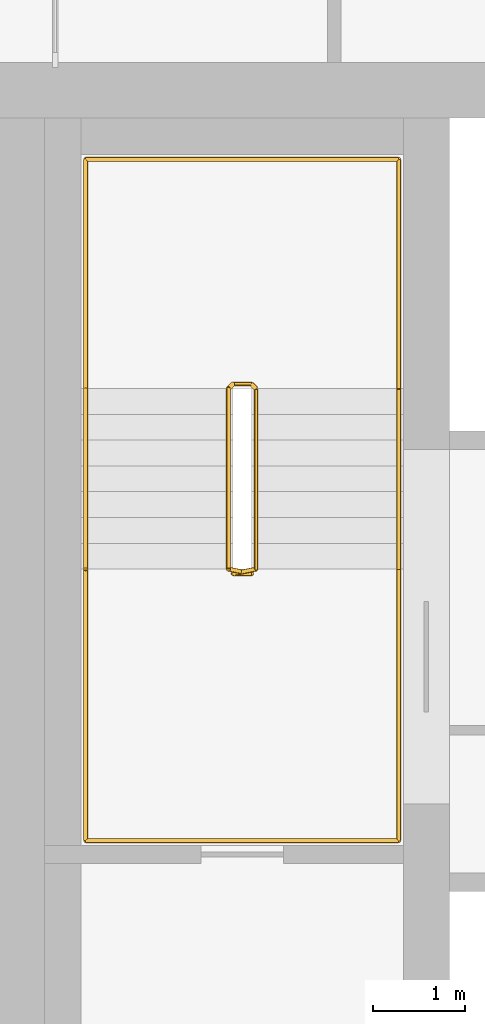
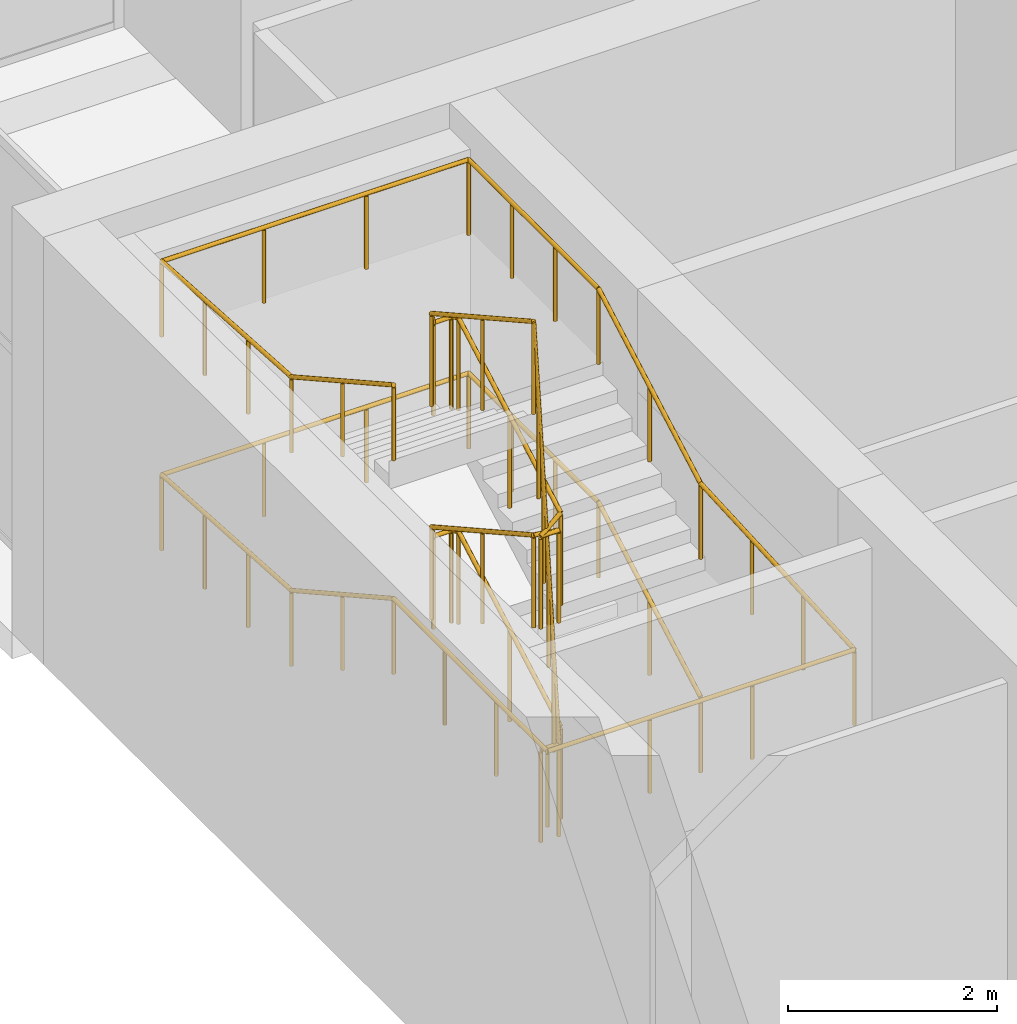
# One storey, part 15 of 15: 2 railings.
"""IFC4 building model written with IfcOpenShell, lengths in metres."""

from ifc_helpers import new_model, si_unit, direction, frame, origin, origin_2d, place, context, subcontext, project, spatial, circle, extrude, material, type_object, element, save


model = new_model("IFC4")

# Units and contexts
model_context = context("Model", 3, precision=1e-05, world=origin(), true_north=direction((0.0, 1.0)))
body_context = subcontext(model_context, "Body", "Model", "MODEL_VIEW")
ifc_project = project(units=[si_unit("LENGTHUNIT", "METRE"), si_unit("AREAUNIT", "SQUARE_METRE"), si_unit("VOLUMEUNIT", "CUBIC_METRE"), si_unit("PLANEANGLEUNIT", "RADIAN"), si_unit("MASSUNIT", "GRAM", prefix="KILO")], contexts=[model_context])

# Site, building, storey
site_placement = place(None, origin())
site = spatial("IfcSite", under=ifc_project, at=site_placement, CompositionType="ELEMENT")
building_placement = place(site_placement, origin())
building = spatial("IfcBuilding", under=site, at=building_placement, Name="Tamorin Gate", CompositionType="ELEMENT")
storey_placement = place(building_placement, frame((0.0, 0.0, 297.699951171875)))
storey = spatial("IfcBuildingStorey", under=building, at=storey_placement, Name="L74", CompositionType="ELEMENT", Elevation=297.699951171875)

# Railings
ifc_material_1 = material(Name="Painted steel balustrade", Category="steel")
railing_type_1 = type_object("IfcRailingType", Name="Stair guard 1100", PredefinedType="GUARDRAIL", material=ifc_material_1)
railing_1_placement = place(storey_placement, frame((32.89990234375, 77.0, 0.15625)))
element("IfcRailing", 1, at=railing_1_placement, inside=storey, type_object=railing_type_1, Name="L74 ST2 stair guard 1", PredefinedType="GUARDRAIL", context=body_context, shape_type="SweptSolid", body=[
    extrude(circle(Radius=0.02392578125, at=origin_2d()), frame((0.0, 0.0, 1.076171875), z_axis=(0.0, 0.873232148454, 0.487304437602), x_axis=(-1.0, 0.0, 0.0)), (0.0, 0.0, 1.0), 2.244384765625),
    extrude(circle(Radius=0.02392578125, at=origin_2d()), frame((0.0, 1.9599609375, 2.169921875), z_axis=(-0.705375805398, 0.708833529934, 0.0), x_axis=(-0.708833529934, -0.705375805398, 0.0)), (0.0, 0.0, 1.0), 0.070556640625),
    extrude(circle(Radius=0.02392578125, at=origin_2d()), frame((-0.0498046875, 2.010009765625, 2.169921875), z_axis=(-1.0, 0.0, 0.0), x_axis=(0.0, -1.0, 0.0)), (0.0, 0.0, 1.0), 0.2001953125),
    extrude(circle(Radius=0.02392578125, at=origin_2d()), frame((-0.25, 2.010009765625, 2.169921875), z_axis=(-0.290469530425, -0.291893400672, 0.911276958196), x_axis=(0.708833529934, -0.705375805398, 0.0)), (0.0, 0.0, 1.0), 0.17138671875),
    extrude(circle(Radius=0.02392578125, at=origin_2d()), frame((-0.2998046875, 1.9599609375, 2.326171875), z_axis=(0.0, -0.873232148454, 0.487304437602), x_axis=(1.0, 0.0, 0.0)), (0.0, 0.0, 1.0), 2.244384765625),
    extrude(circle(Radius=0.02392578125, at=origin_2d()), frame((-0.2998046875, 0.0, 3.419921875), z_axis=(0.98054382908, -0.196300278283, 0.0), x_axis=(0.196300278283, 0.98054382908, 0.0)), (0.0, 0.0, 1.0), 0.2548828125),
    extrude(circle(Radius=0.02392578125, at=origin_2d()), frame((-0.0498046875, -0.050048828125, 3.419921875), z_axis=(-1.0, 0.0, 0.0), x_axis=(0.0, -1.0, 0.0)), (0.0, 0.0, 1.0), 0.2001953125),
    extrude(circle(Radius=0.02392578125, at=origin_2d()), frame((-0.25, -0.050048828125, 3.419921875), z_axis=(0.836036486302, 0.167370585637, 0.522522803939), x_axis=(-0.196300278283, 0.98054382908, 0.0)), (0.0, 0.0, 1.0), 0.299072265625),
    extrude(circle(Radius=0.02392578125, at=origin_2d()), frame((0.0, 0.0, 3.576171875), z_axis=(0.0, 0.873232148454, 0.487304437602), x_axis=(-1.0, 0.0, 0.0)), (0.0, 0.0, 1.0), 2.244384765625),
    extrude(circle(Radius=0.02392578125, at=origin_2d()), frame((0.0, 1.9599609375, 4.669921875), z_axis=(-0.705375805398, 0.708833529934, 0.0), x_axis=(-0.708833529934, -0.705375805398, 0.0)), (0.0, 0.0, 1.0), 0.070556640625),
    extrude(circle(Radius=0.02392578125, at=origin_2d()), frame((-0.0498046875, 2.010009765625, 4.669921875), z_axis=(-1.0, 0.0, 0.0), x_axis=(0.0, -1.0, 0.0)), (0.0, 0.0, 1.0), 0.2001953125),
    extrude(circle(Radius=0.02392578125, at=origin_2d()), frame((-0.25, 2.010009765625, 4.669921875), z_axis=(-0.290469530425, -0.291893400672, 0.911276958196), x_axis=(0.708833529934, -0.705375805398, 0.0)), (0.0, 0.0, 1.0), 0.17138671875),
    extrude(circle(Radius=0.02392578125, at=origin_2d()), frame((-0.2998046875, 1.9599609375, 4.826171875), z_axis=(0.0, -0.873232148454, 0.487304437602), x_axis=(1.0, 0.0, 0.0)), (0.0, 0.0, 1.0), 2.244384765625),
    extrude(circle(Radius=0.02392578125, at=origin_2d()), frame((-0.2998046875, 0.0, 5.919921875), z_axis=(0.04993512161, -0.009996777275, -0.998702432196), x_axis=(0.196300278283, 0.98054382908, 0.0)), (0.0, 0.0, 1.0), 5.006591796875),
    extrude(circle(Radius=0.02392578125, at=origin_2d()), frame((-0.0498046875, -0.050048828125, 0.919921875), z_axis=(-1.0, 0.0, 0.0), x_axis=(0.0, -1.0, 0.0)), (0.0, 0.0, 1.0), 0.2001953125),
    extrude(circle(Radius=0.02099609375, at=origin_2d()), origin(), (0.0, 0.0, 1.0), 1.052001953125),
    extrude(circle(Radius=0.02099609375, at=origin_2d()), frame((0.0, 0.97998046875, 0.546875)), (0.0, 0.0, 1.0), 1.052001953125),
    extrude(circle(Radius=0.02099609375, at=origin_2d()), frame((0.0, 1.9599609375, 1.09375)), (0.0, 0.0, 1.0), 1.052001953125),
    extrude(circle(Radius=0.02099609375, at=origin_2d()), frame((-0.0498046875, 2.010009765625, 1.09375)), (0.0, 0.0, 1.0), 1.052001953125),
    extrude(circle(Radius=0.02099609375, at=origin_2d()), frame((-0.25, 2.010009765625, 1.09375)), (0.0, 0.0, 1.0), 1.052001953125),
    extrude(circle(Radius=0.02099609375, at=origin_2d()), frame((-0.2998046875, 1.9599609375, 1.25)), (0.0, 0.0, 1.0), 1.052001953125),
    extrude(circle(Radius=0.02099609375, at=origin_2d()), frame((-0.2998046875, 0.97998046875, 1.796875)), (0.0, 0.0, 1.0), 1.052001953125),
    extrude(circle(Radius=0.02099609375, at=origin_2d()), frame((-0.2998046875, 0.0, 2.34375)), (0.0, 0.0, 1.0), 1.052001953125),
    extrude(circle(Radius=0.02099609375, at=origin_2d()), frame((-0.0498046875, -0.050048828125, 2.34375)), (0.0, 0.0, 1.0), 1.052001953125),
    extrude(circle(Radius=0.02099609375, at=origin_2d()), frame((-0.25, -0.050048828125, 2.34375)), (0.0, 0.0, 1.0), 1.052001953125),
    extrude(circle(Radius=0.02099609375, at=origin_2d()), frame((0.0, 0.0, 2.5)), (0.0, 0.0, 1.0), 1.052001953125),
    extrude(circle(Radius=0.02099609375, at=origin_2d()), frame((0.0, 0.97998046875, 3.046875)), (0.0, 0.0, 1.0), 1.052001953125),
    extrude(circle(Radius=0.02099609375, at=origin_2d()), frame((0.0, 1.9599609375, 3.59375)), (0.0, 0.0, 1.0), 1.052001953125),
    extrude(circle(Radius=0.02099609375, at=origin_2d()), frame((-0.0498046875, 2.010009765625, 3.59375)), (0.0, 0.0, 1.0), 1.052001953125),
    extrude(circle(Radius=0.02099609375, at=origin_2d()), frame((-0.25, 2.010009765625, 3.59375)), (0.0, 0.0, 1.0), 1.052001953125),
    extrude(circle(Radius=0.02099609375, at=origin_2d()), frame((-0.2998046875, 1.9599609375, 3.75)), (0.0, 0.0, 1.0), 1.052001953125),
    extrude(circle(Radius=0.02099609375, at=origin_2d()), frame((-0.2998046875, 0.97998046875, 4.296875)), (0.0, 0.0, 1.0), 1.052001953125),
    extrude(circle(Radius=0.02099609375, at=origin_2d()), frame((-0.2998046875, 0.0, 4.84375)), (0.0, 0.0, 1.0), 1.052001953125),
    extrude(circle(Radius=0.02099609375, at=origin_2d()), frame((-0.249755859375, -0.010009765625, 3.84375)), (0.0, 0.0, 1.0), 1.052001953125),
    extrude(circle(Radius=0.02099609375, at=origin_2d()), frame((-0.19970703125, -0.02001953125, 2.84375)), (0.0, 0.0, 1.0), 1.052001953125),
    extrude(circle(Radius=0.02099609375, at=origin_2d()), frame((-0.14990234375, -0.030029296875, 1.84375)), (0.0, 0.0, 1.0), 1.052001953125),
    extrude(circle(Radius=0.02099609375, at=origin_2d()), frame((-0.099853515625, -0.0400390625, 0.84375)), (0.0, 0.0, 1.0), 1.052001953125),
    extrude(circle(Radius=0.02099609375, at=origin_2d()), frame((-0.0498046875, -0.050048828125, -0.15625)), (0.0, 0.0, 1.0), 1.052001953125),
    extrude(circle(Radius=0.02099609375, at=origin_2d()), frame((-0.25, -0.050048828125, -0.15625)), (0.0, 0.0, 1.0), 1.052001953125),
])
ifc_material_2 = material(Name="Painted steel handrail", Category="steel")
railing_type_2 = type_object("IfcRailingType", Name="Stair handrail 900", PredefinedType="HANDRAIL", material=ifc_material_2)
railing_2_placement = place(storey_placement, frame((34.449951171875, 77.0, 0.15625)))
element("IfcRailing", 2, at=railing_2_placement, inside=storey, type_object=railing_type_2, Name="L74 ST2 stair handrail 1", PredefinedType="HANDRAIL", context=body_context, shape_type="SweptSolid", body=[
    extrude(circle(Radius=0.02392578125, at=origin_2d()), frame((0.0, 0.0, 0.8759765625), z_axis=(0.0, 0.873232148454, 0.487304437602), x_axis=(-1.0, 0.0, 0.0)), (0.0, 0.0, 1.0), 2.244384765625),
    extrude(circle(Radius=0.02392578125, at=origin_2d()), frame((0.0, 1.9599609375, 1.9697265625), z_axis=(0.0, 1.0, 0.0), x_axis=(-1.0, 0.0, 0.0)), (0.0, 0.0, 1.0), 2.489990234375),
    extrude(circle(Radius=0.02392578125, at=origin_2d()), frame((0.0, 4.449951171875, 1.9697265625), z_axis=(-1.0, 0.0, 0.0), x_axis=(0.0, -1.0, 0.0)), (0.0, 0.0, 1.0), 3.39990234375),
    extrude(circle(Radius=0.02392578125, at=origin_2d()), frame((-3.39990234375, 4.449951171875, 1.9697265625), z_axis=(0.0, -0.998036935902, 0.062628065396), x_axis=(1.0, 0.0, 0.0)), (0.0, 0.0, 1.0), 2.494873046875),
    extrude(circle(Radius=0.02392578125, at=origin_2d()), frame((-3.39990234375, 1.9599609375, 2.1259765625), z_axis=(0.0, -0.873232148454, 0.487304437602), x_axis=(1.0, 0.0, 0.0)), (0.0, 0.0, 1.0), 2.244384765625),
    extrude(circle(Radius=0.02392578125, at=origin_2d()), frame((-3.39990234375, 0.0, 3.2197265625), z_axis=(0.0, -1.0, 0.0), x_axis=(1.0, 0.0, 0.0)), (0.0, 0.0, 1.0), 2.949951171875),
    extrude(circle(Radius=0.02392578125, at=origin_2d()), frame((-3.39990234375, -2.949951171875, 3.2197265625), z_axis=(1.0, 0.0, 0.0), x_axis=(0.0, 1.0, 0.0)), (0.0, 0.0, 1.0), 3.39990234375),
    extrude(circle(Radius=0.02392578125, at=origin_2d()), frame((0.0, -2.949951171875, 3.2197265625), z_axis=(0.0, 0.998600194279, 0.05289283492), x_axis=(-1.0, 0.0, 0.0)), (0.0, 0.0, 1.0), 2.9541015625),
    extrude(circle(Radius=0.02392578125, at=origin_2d()), frame((0.0, 0.0, 3.3759765625), z_axis=(0.0, 0.873232148454, 0.487304437602), x_axis=(-1.0, 0.0, 0.0)), (0.0, 0.0, 1.0), 2.244384765625),
    extrude(circle(Radius=0.02392578125, at=origin_2d()), frame((0.0, 1.9599609375, 4.4697265625), z_axis=(0.0, 1.0, 0.0), x_axis=(-1.0, 0.0, 0.0)), (0.0, 0.0, 1.0), 2.489990234375),
    extrude(circle(Radius=0.02392578125, at=origin_2d()), frame((0.0, 4.449951171875, 4.4697265625), z_axis=(-1.0, 0.0, 0.0), x_axis=(0.0, -1.0, 0.0)), (0.0, 0.0, 1.0), 3.39990234375),
    extrude(circle(Radius=0.02392578125, at=origin_2d()), frame((-3.39990234375, 4.449951171875, 4.4697265625), z_axis=(0.0, -0.998036935902, 0.062628065396), x_axis=(1.0, 0.0, 0.0)), (0.0, 0.0, 1.0), 2.494873046875),
    extrude(circle(Radius=0.02392578125, at=origin_2d()), frame((-3.39990234375, 1.9599609375, 4.6259765625), z_axis=(0.0, -0.873232148454, 0.487304437602), x_axis=(1.0, 0.0, 0.0)), (0.0, 0.0, 1.0), 2.244384765625),
    extrude(circle(Radius=0.02099609375, at=origin_2d()), origin(), (0.0, 0.0, 1.0), 0.851806640625),
    extrude(circle(Radius=0.02099609375, at=origin_2d()), frame((0.0, 0.97998046875, 0.546875)), (0.0, 0.0, 1.0), 0.851806640625),
    extrude(circle(Radius=0.02099609375, at=origin_2d()), frame((0.0, 1.9599609375, 1.09375)), (0.0, 0.0, 1.0), 0.851806640625),
    extrude(circle(Radius=0.02099609375, at=origin_2d()), frame((0.0, 2.7900390625, 1.09375)), (0.0, 0.0, 1.0), 0.851806640625),
    extrude(circle(Radius=0.02099609375, at=origin_2d()), frame((0.0, 3.619873046875, 1.09375)), (0.0, 0.0, 1.0), 0.851806640625),
    extrude(circle(Radius=0.02099609375, at=origin_2d()), frame((0.0, 4.449951171875, 1.09375)), (0.0, 0.0, 1.0), 0.851806640625),
    extrude(circle(Radius=0.02099609375, at=origin_2d()), frame((-1.13330078125, 4.449951171875, 1.09375)), (0.0, 0.0, 1.0), 0.851806640625),
    extrude(circle(Radius=0.02099609375, at=origin_2d()), frame((-2.2666015625, 4.449951171875, 1.09375)), (0.0, 0.0, 1.0), 0.851806640625),
    extrude(circle(Radius=0.02099609375, at=origin_2d()), frame((-3.39990234375, 4.449951171875, 1.09375)), (0.0, 0.0, 1.0), 0.851806640625),
    extrude(circle(Radius=0.02099609375, at=origin_2d()), frame((-3.39990234375, 3.619873046875, 1.145751953125)), (0.0, 0.0, 1.0), 0.851806640625),
    extrude(circle(Radius=0.02099609375, at=origin_2d()), frame((-3.39990234375, 2.7900390625, 1.197998046875)), (0.0, 0.0, 1.0), 0.851806640625),
    extrude(circle(Radius=0.02099609375, at=origin_2d()), frame((-3.39990234375, 1.9599609375, 1.25)), (0.0, 0.0, 1.0), 0.851806640625),
    extrude(circle(Radius=0.02099609375, at=origin_2d()), frame((-3.39990234375, 0.97998046875, 1.796875)), (0.0, 0.0, 1.0), 0.851806640625),
    extrude(circle(Radius=0.02099609375, at=origin_2d()), frame((-3.39990234375, 0.0, 2.34375)), (0.0, 0.0, 1.0), 0.851806640625),
    extrude(circle(Radius=0.02099609375, at=origin_2d()), frame((-3.39990234375, -0.9833984375, 2.34375)), (0.0, 0.0, 1.0), 0.851806640625),
    extrude(circle(Radius=0.02099609375, at=origin_2d()), frame((-3.39990234375, -1.966552734375, 2.34375)), (0.0, 0.0, 1.0), 0.851806640625),
    extrude(circle(Radius=0.02099609375, at=origin_2d()), frame((-3.39990234375, -2.949951171875, 2.34375)), (0.0, 0.0, 1.0), 0.851806640625),
    extrude(circle(Radius=0.02099609375, at=origin_2d()), frame((-2.2666015625, -2.949951171875, 2.34375)), (0.0, 0.0, 1.0), 0.851806640625),
    extrude(circle(Radius=0.02099609375, at=origin_2d()), frame((-1.13330078125, -2.949951171875, 2.34375)), (0.0, 0.0, 1.0), 0.851806640625),
    extrude(circle(Radius=0.02099609375, at=origin_2d()), frame((0.0, -2.949951171875, 2.34375)), (0.0, 0.0, 1.0), 0.851806640625),
    extrude(circle(Radius=0.02099609375, at=origin_2d()), frame((0.0, -1.966552734375, 2.395751953125)), (0.0, 0.0, 1.0), 0.851806640625),
    extrude(circle(Radius=0.02099609375, at=origin_2d()), frame((0.0, -0.9833984375, 2.447998046875)), (0.0, 0.0, 1.0), 0.851806640625),
    extrude(circle(Radius=0.02099609375, at=origin_2d()), frame((0.0, 0.0, 2.5)), (0.0, 0.0, 1.0), 0.851806640625),
    extrude(circle(Radius=0.02099609375, at=origin_2d()), frame((0.0, 0.97998046875, 3.046875)), (0.0, 0.0, 1.0), 0.851806640625),
    extrude(circle(Radius=0.02099609375, at=origin_2d()), frame((0.0, 1.9599609375, 3.59375)), (0.0, 0.0, 1.0), 0.851806640625),
    extrude(circle(Radius=0.02099609375, at=origin_2d()), frame((0.0, 2.7900390625, 3.59375)), (0.0, 0.0, 1.0), 0.851806640625),
    extrude(circle(Radius=0.02099609375, at=origin_2d()), frame((0.0, 3.619873046875, 3.59375)), (0.0, 0.0, 1.0), 0.851806640625),
    extrude(circle(Radius=0.02099609375, at=origin_2d()), frame((0.0, 4.449951171875, 3.59375)), (0.0, 0.0, 1.0), 0.851806640625),
    extrude(circle(Radius=0.02099609375, at=origin_2d()), frame((-1.13330078125, 4.449951171875, 3.59375)), (0.0, 0.0, 1.0), 0.851806640625),
    extrude(circle(Radius=0.02099609375, at=origin_2d()), frame((-2.2666015625, 4.449951171875, 3.59375)), (0.0, 0.0, 1.0), 0.851806640625),
    extrude(circle(Radius=0.02099609375, at=origin_2d()), frame((-3.39990234375, 4.449951171875, 3.59375)), (0.0, 0.0, 1.0), 0.851806640625),
    extrude(circle(Radius=0.02099609375, at=origin_2d()), frame((-3.39990234375, 3.619873046875, 3.645751953125)), (0.0, 0.0, 1.0), 0.851806640625),
    extrude(circle(Radius=0.02099609375, at=origin_2d()), frame((-3.39990234375, 2.7900390625, 3.697998046875)), (0.0, 0.0, 1.0), 0.851806640625),
    extrude(circle(Radius=0.02099609375, at=origin_2d()), frame((-3.39990234375, 1.9599609375, 3.75)), (0.0, 0.0, 1.0), 0.851806640625),
    extrude(circle(Radius=0.02099609375, at=origin_2d()), frame((-3.39990234375, 0.97998046875, 4.296875)), (0.0, 0.0, 1.0), 0.851806640625),
    extrude(circle(Radius=0.02099609375, at=origin_2d()), frame((-3.39990234375, 0.0, 4.84375)), (0.0, 0.0, 1.0), 0.851806640625),
])

save(model, "model.ifc")
